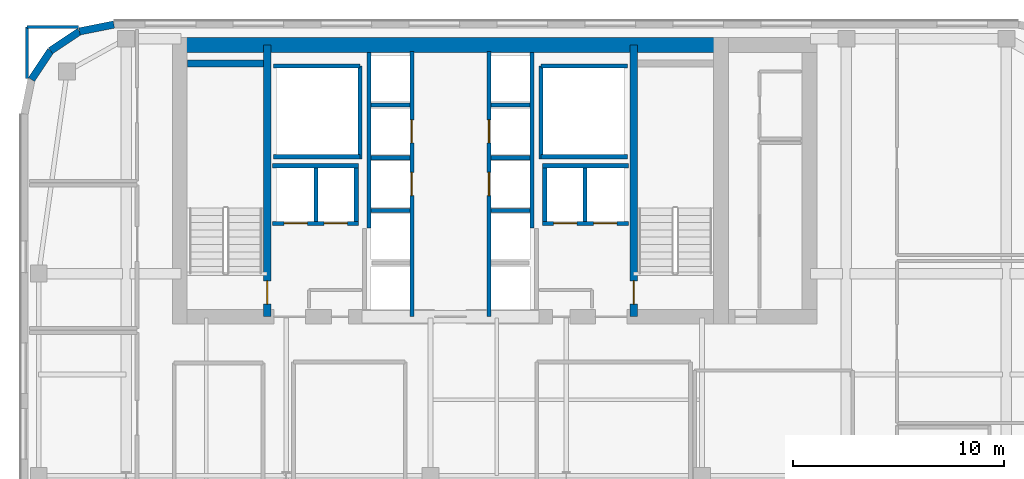
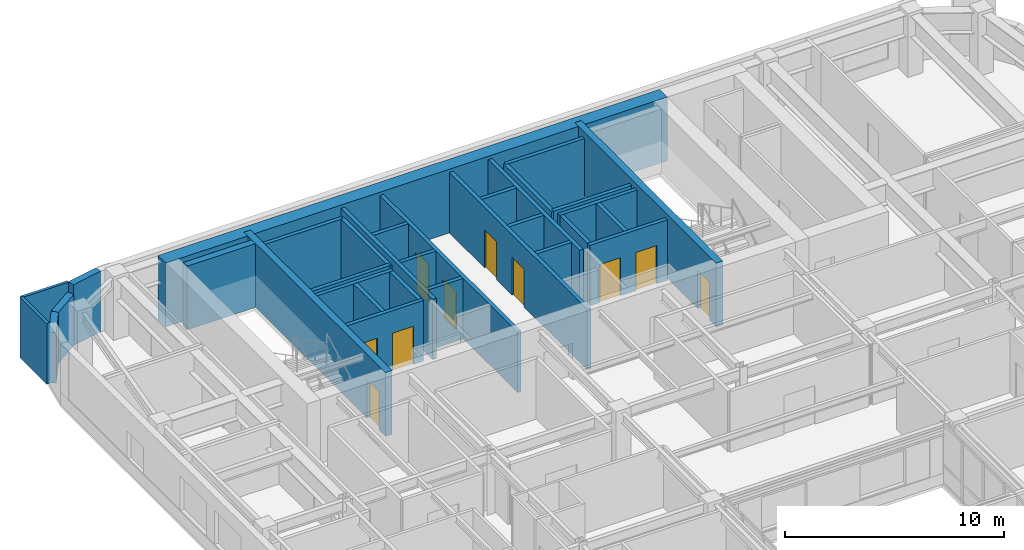
# One storey, part 19 of 26: 33 walls, 10 doors, 10 openings.
"""IFC4 building model written with IfcOpenShell, lengths in metres."""

from ifc_helpers import new_model, si_unit, direction, frame, frame_2d, origin, place, context, subcontext, project, spatial, rectangle, extrude, source, transform, mapped, material, layer, layer_set, type_object, type_shapes, element, fill, save


model = new_model("IFC4")

# Units and contexts
model_context = context("Model", 3, precision=1e-05, world=origin(), true_north=direction((0.0, 1.0)))
body_context = subcontext(model_context, "Body", "Model", "MODEL_VIEW")
ifc_project = project(units=[si_unit("LENGTHUNIT", "METRE"), si_unit("AREAUNIT", "SQUARE_METRE"), si_unit("VOLUMEUNIT", "CUBIC_METRE"), si_unit("PLANEANGLEUNIT", "RADIAN"), si_unit("MASSUNIT", "GRAM", prefix="KILO")], contexts=[model_context])

# Site, building, storey
site_placement = place(None, origin())
site = spatial("IfcSite", under=ifc_project, at=site_placement, CompositionType="ELEMENT")
building_placement = place(site_placement, origin())
building = spatial("IfcBuilding", under=site, at=building_placement, Name="Tolvann Quenvar Hotel", CompositionType="ELEMENT")
storey_placement = place(building_placement, frame((0.0, 0.0, 168.35009765625)))
storey = spatial("IfcBuildingStorey", under=building, at=storey_placement, Name="L44", CompositionType="ELEMENT", Elevation=168.35009765625)

# Wall
ifc_material_1 = material(Name="Concrete S65 (65 MPa)", Category="concrete")
ifc_layer_1 = layer(ifc_material_1, 0.699951171875)
ifc_layer_set_1 = layer_set([ifc_layer_1], Name="Concrete S65 (65 MPa)")
wall_type_1 = type_object("IfcWallType", Name="WALL_CORE_700", PredefinedType="SHEAR", material=ifc_layer_set_1)
wall_1_placement = place(storey_placement, frame((9.800048828125, 44.85009765625, 0.0), z_axis=(0.0, 0.0, 1.0), x_axis=(1.0, 0.0, 0.0)))
element("IfcWall", 1, at=wall_1_placement, inside=storey, type_object=wall_type_1, Name="Rear Core N Shear Wall (L44)", PredefinedType="SHEAR", context=body_context, shape_type="SweptSolid", body=[
    extrude(rectangle(XDim=26.39990234375, YDim=0.699951171875, at=frame_2d((13.199951171875, 0.0))), origin(), (0.0, 0.0, 1.0), 3.5498046875),
])

# Wall, opening, door
ifc_layer_2 = layer(ifc_material_1, 0.35009765625)
ifc_layer_set_2 = layer_set([ifc_layer_2], Name="Concrete S65 (65 MPa)")
wall_type_2 = type_object("IfcWallType", Name="WALL_CORE_INT_350", PredefinedType="SHEAR", material=ifc_layer_set_2)
wall_2_placement = place(storey_placement, frame((14.300048828125, 31.949951171875, 0.0), z_axis=(0.0, 0.0, 1.0), x_axis=(0.0, 1.0, 0.0)))
wall_2 = element("IfcWall", 2, at=wall_2_placement, inside=storey, type_object=wall_type_2, Name="Core Internal Web Shear Wall WEB-W (L44)", PredefinedType="SHEAR", context=body_context, shape_type="SweptSolid", body=[
    extrude(rectangle(XDim=12.900146484375, YDim=0.35009765625, at=frame_2d((6.4501953125, 0.0))), origin(), (0.0, 0.0, 1.0), 3.5498046875),
])
opening_1_placement = place(wall_2_placement, frame((0.60009765625, 0.0, 0.0)))
opening_1 = element("IfcOpeningElement", 3, at=opening_1_placement, cuts=wall_2, Name="Opening FD-120", PredefinedType="OPENING", context=body_context, shape_type="SweptSolid", body=[
    extrude(rectangle(XDim=1.10009765625, YDim=2.1201171875, at=frame_2d((0.550048828125, 1.06005859375))), frame((0.0, 0.18505859375, 0.0), z_axis=(0.0, -1.0, 0.0), x_axis=(1.0, 0.0, 0.0)), (0.0, 0.0, 1.0), 0.3701171875),
])
ifc_material_2 = material(Name="Pressed galvanised steel fire-rated door set", Category="steel")
door_type_1 = type_object("IfcDoorType", Name="DOOR_FIRE_STAIR_1100", OperationType="NOTDEFINED", PredefinedType="DOOR", material=ifc_material_2)
shared_shape_1 = source(origin(), body_context, "Body", "SweptSolid", [
    extrude(rectangle(XDim=1.10009765625, YDim=2.1201171875, at=frame_2d((0.550048828125, 1.06005859375))), frame((0.0, 0.02490234375, 0.0), z_axis=(0.0, -1.0, 0.0), x_axis=(1.0, 0.0, 0.0)), (0.0, 0.0, 1.0), 0.050048828125),
])
type_shapes(door_type_1, [shared_shape_1])
door_1_placement = place(opening_1_placement, origin())
door_1 = element("IfcDoor", 4, at=door_1_placement, inside=storey, type_object=door_type_1, Name="Exit Stair ST-C1 Fire Door (L44)", OperationType="SINGLE_SWING_LEFT", OverallHeight=2.1201171875, OverallWidth=1.10009765625, PredefinedType="DOOR", context=body_context, shape_type="MappedRepresentation", body=[
    mapped(shared_shape_1, transform((0.0, 0.0, 0.0), x_axis=(1.0, 0.0, 0.0), y_axis=(0.0, 1.0, 0.0), z_axis=(0.0, 0.0, 1.0), scale=1.0)),
])
fill(opening_1, door_1)

wall_3_placement = place(storey_placement, frame((31.699951171875, 31.949951171875, 0.0), z_axis=(0.0, 0.0, 1.0), x_axis=(0.0, 1.0, 0.0)))
wall_3 = element("IfcWall", 5, at=wall_3_placement, inside=storey, type_object=wall_type_2, Name="Core Internal Web Shear Wall WEB-E (L44)", PredefinedType="SHEAR", context=body_context, shape_type="SweptSolid", body=[
    extrude(rectangle(XDim=12.900146484375, YDim=0.35009765625, at=frame_2d((6.4501953125, 0.0))), origin(), (0.0, 0.0, 1.0), 3.5498046875),
])
opening_2_placement = place(wall_3_placement, frame((1.7001953125, 0.0, 0.0), z_axis=(0.0, 0.0, 1.0), x_axis=(-1.0, 0.0, 0.0)))
opening_2 = element("IfcOpeningElement", 6, at=opening_2_placement, cuts=wall_3, Name="Opening FD-120", PredefinedType="OPENING", context=body_context, shape_type="SweptSolid", body=[
    extrude(rectangle(XDim=1.10009765625, YDim=2.1201171875, at=frame_2d((0.550048828125, 1.06005859375))), frame((0.0, 0.18505859375, 0.0), z_axis=(0.0, -1.0, 0.0), x_axis=(1.0, 0.0, 0.0)), (0.0, 0.0, 1.0), 0.3701171875),
])
door_2_placement = place(opening_2_placement, origin())
door_2 = element("IfcDoor", 7, at=door_2_placement, inside=storey, type_object=door_type_1, Name="Exit Stair ST-C2 Fire Door (L44)", OperationType="SINGLE_SWING_RIGHT", OverallHeight=2.1201171875, OverallWidth=1.10009765625, PredefinedType="DOOR", context=body_context, shape_type="MappedRepresentation", body=[
    mapped(shared_shape_1, transform((0.0, 0.0, 0.0), x_axis=(1.0, 0.0, 0.0), y_axis=(0.0, 1.0, 0.0), z_axis=(0.0, 0.0, 1.0), scale=1.0)),
])
fill(opening_2, door_2)

# Walls
wall_4_placement = place(storey_placement, frame((10.52001953125, 43.97509765625, 0.0), z_axis=(0.0, 0.0, 1.0), x_axis=(1.0, 0.0, 0.0)))
element("IfcWall", 8, at=wall_4_placement, inside=storey, type_object=wall_type_2, Name="Core Stair North Closing Shear Wall STC1-N (L44)", PredefinedType="SHEAR", context=body_context, shape_type="SweptSolid", body=[
    extrude(rectangle(XDim=3.60009765625, YDim=0.35009765625, at=frame_2d((1.800048828125, 0.0))), origin(), (0.0, 0.0, 1.0), 3.5498046875),
])
ifc_material_3 = material(Name="Kiln-fired red and buff architectural clay brickwork and terracotta masonry", Category="masonry")
ifc_layer_3 = layer(ifc_material_3, 0.35009765625)
ifc_layer_set_3 = layer_set([ifc_layer_3], Name="Kiln-fired red and buff architectural clay brickwork and terracotta masonry")
wall_type_3 = type_object("IfcWallType", Name="WALL_EXT_BRICK_350", PredefinedType="SOLIDWALL", material=ifc_layer_set_3)
wall_5_placement = place(storey_placement, frame((7.01708984375, 45.824951171875, 0.0), z_axis=(0.0, 0.0, 1.0), x_axis=(-0.980788844421, -0.195072403631, 0.0)))
element("IfcWall", 9, at=wall_5_placement, inside=storey, type_object=wall_type_3, Name="Exterior Chicago Brick Wall L44-E19", PredefinedType="SOLIDWALL", context=body_context, shape_type="SweptSolid", body=[
    extrude(rectangle(XDim=1.66455078125, YDim=0.35009765625, at=frame_2d((0.832275390625, 0.0))), origin(), (0.0, 0.0, 1.0), 3.369873046875),
])
for number, where, z_axis, x_axis, name in (
    (10, (5.384521484375, 45.500244140625, 0.0), (0.0, 0.0, 1.0), (-0.831502623162, -0.555520825599, 0.0), "Exterior Chicago Brick Wall L44-E20"),
    (11, (4.014892578125, 44.585205078125, 0.0), (0.0, 0.0, 1.0), (-0.555623290322, -0.831434158098, 0.0), "Exterior Chicago Brick Wall L44-E21"),
):
    element("IfcWall", number, at=place(storey_placement, frame(where, z_axis=z_axis, x_axis=x_axis)), inside=storey, type_object=wall_type_3, Name=name, PredefinedType="SOLIDWALL", context=body_context, shape_type="SweptSolid", body=[
        extrude(rectangle(XDim=1.647216796875, YDim=0.35009765625, at=frame_2d((0.82373046875, 0.0))), origin(), (0.0, 0.0, 1.0), 2.831787109375),
    ])
ifc_material_4 = material(Name="Acoustic twin-stud fire-rated gypsum plasterboard partition")
ifc_layer_4 = layer(ifc_material_4, 0.14990234375)
ifc_layer_set_4 = layer_set([ifc_layer_4], Name="Acoustic twin-stud fire-rated gypsum plasterboard partition")
wall_type_4 = type_object("IfcWallType", Name="WALL_PART_SUITE_150", PredefinedType="PARTITIONING", material=ifc_layer_set_4)
for number, where, z_axis, x_axis, name in (
    (12, (2.89990234375, 45.699951171875, 0.0), (0.0, 0.0, 1.0), (1.0, 0.0, 0.0), "Interior Partition PT-SPC-L44-TEA-N"),
    (13, (2.89990234375, 43.2548828125, 0.0), (0.0, 0.0, 1.0), (0.0, 1.0, 0.0), "Interior Partition PT-SPC-L44-TEA-W"),
):
    element("IfcWall", number, at=place(storey_placement, frame(where, z_axis=z_axis, x_axis=x_axis)), inside=storey, type_object=wall_type_4, Name=name, PredefinedType="PARTITIONING", context=body_context, shape_type="SweptSolid", body=[
        extrude(rectangle(XDim=2.445068359375, YDim=0.14990234375, at=frame_2d((1.22265625, 0.0))), origin(), (0.0, 0.0, 1.0), 3.369873046875),
    ])
ifc_material_5 = material(Name="Concrete N40 (40 MPa)", Category="concrete")
ifc_layer_5 = layer(ifc_material_5, 0.199951171875)
ifc_layer_set_5 = layer_set([ifc_layer_5], Name="Concrete N40 (40 MPa)")
wall_type_5 = type_object("IfcWallType", Name="WALL_SHAFT_200", PredefinedType="SOLIDWALL", material=ifc_layer_set_5)
wall_6_placement = place(storey_placement, frame((18.699951171875, 39.449951171875, 0.0), z_axis=(0.0, 0.0, 1.0), x_axis=(0.0, 1.0, 0.0)))
element("IfcWall", 14, at=wall_6_placement, inside=storey, type_object=wall_type_5, Name="Service Riser W Shaft Wall IN (L44)", PredefinedType="SOLIDWALL", context=body_context, shape_type="SweptSolid", body=[
    extrude(rectangle(XDim=4.400146484375, YDim=0.199951171875, at=frame_2d((2.2001953125, 0.0))), origin(), (0.0, 0.0, 1.0), 3.369873046875),
])
for number, where, z_axis, x_axis, name in (
    (15, (14.60009765625, 39.550048828125, 0.0), (0.0, 0.0, 1.0), (1.0, 0.0, 0.0), "Service Riser W Shaft Wall S (L44)"),
    (16, (14.60009765625, 43.85009765625, 0.0), (0.0, 0.0, 1.0), (1.0, 0.0, 0.0), "Service Riser W Shaft Wall N (L44)"),
):
    element("IfcWall", number, at=place(storey_placement, frame(where, z_axis=z_axis, x_axis=x_axis)), inside=storey, type_object=wall_type_5, Name=name, PredefinedType="SOLIDWALL", context=body_context, shape_type="SweptSolid", body=[
        extrude(rectangle(XDim=4.099853515625, YDim=0.199951171875, at=frame_2d((2.0498046875, 0.0))), origin(), (0.0, 0.0, 1.0), 3.369873046875),
    ])
wall_7_placement = place(storey_placement, frame((27.300048828125, 39.449951171875, 0.0), z_axis=(0.0, 0.0, 1.0), x_axis=(0.0, 1.0, 0.0)))
element("IfcWall", 17, at=wall_7_placement, inside=storey, type_object=wall_type_5, Name="Service Riser E Shaft Wall IN (L44)", PredefinedType="SOLIDWALL", context=body_context, shape_type="SweptSolid", body=[
    extrude(rectangle(XDim=4.400146484375, YDim=0.199951171875, at=frame_2d((2.2001953125, 0.0))), origin(), (0.0, 0.0, 1.0), 3.369873046875),
])
for number, where, z_axis, x_axis, name in (
    (18, (27.300048828125, 39.550048828125, 0.0), (0.0, 0.0, 1.0), (1.0, 0.0, 0.0), "Service Riser E Shaft Wall S (L44)"),
    (19, (27.300048828125, 43.85009765625, 0.0), (0.0, 0.0, 1.0), (1.0, 0.0, 0.0), "Service Riser E Shaft Wall N (L44)"),
):
    element("IfcWall", number, at=place(storey_placement, frame(where, z_axis=z_axis, x_axis=x_axis)), inside=storey, type_object=wall_type_5, Name=name, PredefinedType="SOLIDWALL", context=body_context, shape_type="SweptSolid", body=[
        extrude(rectangle(XDim=4.099853515625, YDim=0.199951171875, at=frame_2d((2.0498046875, 0.0))), origin(), (0.0, 0.0, 1.0), 3.369873046875),
    ])

# Wall, openings, doors
wall_8_placement = place(storey_placement, frame((21.169921875, 31.9599609375, 0.0), z_axis=(0.0, 0.0, 1.0), x_axis=(0.0, 1.0, 0.0)))
wall_8 = element("IfcWall", 20, at=wall_8_placement, inside=storey, type_object=wall_type_5, Name="Lift Bank E21.1C1 Hoistway Front Wall (L44)", PredefinedType="SOLIDWALL", context=body_context, shape_type="SweptSolid", body=[
    extrude(rectangle(XDim=12.580078125, YDim=0.199951171875, at=frame_2d((6.2900390625, 0.0))), origin(), (0.0, 0.0, 1.0), 3.369873046875),
])
opening_3_placement = place(wall_8_placement, frame((5.739990234375, 0.0, 0.0)))
opening_3 = element("IfcOpeningElement", 21, at=opening_3_placement, cuts=wall_8, Name="Opening LD-01", PredefinedType="OPENING", context=body_context, shape_type="SweptSolid", body=[
    extrude(rectangle(XDim=1.10009765625, YDim=2.1201171875, at=frame_2d((0.550048828125, 1.06005859375))), frame((0.0, 0.10986328125, 0.0), z_axis=(0.0, -1.0, 0.0), x_axis=(1.0, 0.0, 0.0)), (0.0, 0.0, 1.0), 0.219970703125),
])
opening_4_placement = place(wall_8_placement, frame((8.239990234375, 0.0, 0.0)))
opening_4 = element("IfcOpeningElement", 22, at=opening_4_placement, cuts=wall_8, Name="Opening LD-01", PredefinedType="OPENING", context=body_context, shape_type="SweptSolid", body=[
    extrude(rectangle(XDim=1.10009765625, YDim=2.1201171875, at=frame_2d((0.550048828125, 1.06005859375))), frame((0.0, 0.10986328125, 0.0), z_axis=(0.0, -1.0, 0.0), x_axis=(1.0, 0.0, 0.0)), (0.0, 0.0, 1.0), 0.219970703125),
])
ifc_material_6 = material(Name="Brushed 316 stainless steel automatic sliding lift landing door", Category="steel")
door_type_2 = type_object("IfcDoorType", Name="DOOR_LIFT_SLIDE_1100", OperationType="NOTDEFINED", PredefinedType="DOOR", material=ifc_material_6)
shared_shape_2 = source(origin(), body_context, "Body", "SweptSolid", [
    extrude(rectangle(XDim=1.10009765625, YDim=2.1201171875, at=frame_2d((0.550048828125, 1.06005859375))), frame((0.0, 0.02490234375, 0.0), z_axis=(0.0, -1.0, 0.0), x_axis=(1.0, 0.0, 0.0)), (0.0, 0.0, 1.0), 0.050048828125),
])
type_shapes(door_type_2, [shared_shape_2])
door_3_placement = place(opening_3_placement, origin())
door_3 = element("IfcDoor", 23, at=door_3_placement, inside=storey, type_object=door_type_2, Name="Lift PM-1 Sliding Landing Door (L44)", OperationType="SLIDING_TO_RIGHT", OverallHeight=2.1201171875, OverallWidth=1.10009765625, PredefinedType="DOOR", context=body_context, shape_type="MappedRepresentation", body=[
    mapped(shared_shape_2, transform((0.0, 0.0, 0.0), x_axis=(1.0, 0.0, 0.0), y_axis=(0.0, 1.0, 0.0), z_axis=(0.0, 0.0, 1.0), scale=1.0)),
])
fill(opening_3, door_3)
door_4_placement = place(opening_4_placement, origin())
door_4 = element("IfcDoor", 24, at=door_4_placement, inside=storey, type_object=door_type_2, Name="Lift PM-2 Sliding Landing Door (L44)", OperationType="SLIDING_TO_LEFT", OverallHeight=2.1201171875, OverallWidth=1.10009765625, PredefinedType="DOOR", context=body_context, shape_type="MappedRepresentation", body=[
    mapped(shared_shape_2, transform((0.0, 0.0, 0.0), x_axis=(1.0, 0.0, 0.0), y_axis=(0.0, 1.0, 0.0), z_axis=(0.0, 0.0, 1.0), scale=1.0)),
])
fill(opening_4, door_4)

# Walls
wall_9_placement = place(storey_placement, frame((19.1298828125, 36.159912109375, 0.0), z_axis=(0.0, 0.0, 1.0), x_axis=(0.0, 1.0, 0.0)))
element("IfcWall", 25, at=wall_9_placement, inside=storey, type_object=wall_type_5, Name="Lift Bank E21.1C1 Hoistway Rear Wall (L44)", PredefinedType="SOLIDWALL", context=body_context, shape_type="SweptSolid", body=[
    extrude(rectangle(XDim=8.336181640625, YDim=0.199951171875, at=frame_2d((4.16796875, 0.0))), origin(), (0.0, 0.0, 1.0), 3.369873046875),
])
for number, where, z_axis, x_axis, name in (
    (26, (19.22998046875, 37.0, 0.0), (0.0, 0.0, 1.0), (1.0, 0.0, 0.0), "Lift Bank E21.1C1 Divider Wall 2 (L44)"),
    (27, (19.22998046875, 39.5, 0.0), (0.0, 0.0, 1.0), (1.0, 0.0, 0.0), "Lift Bank E21.1C1 Divider Wall 3 (L44)"),
    (28, (19.22998046875, 42.0, 0.0), (0.0, 0.0, 1.0), (1.0, 0.0, 0.0), "Lift Bank E21.1C1 Divider Wall 4 (L44)"),
):
    element("IfcWall", number, at=place(storey_placement, frame(where, z_axis=z_axis, x_axis=x_axis)), inside=storey, type_object=wall_type_5, Name=name, PredefinedType="SOLIDWALL", context=body_context, shape_type="SweptSolid", body=[
        extrude(rectangle(XDim=1.840087890625, YDim=0.199951171875, at=frame_2d((0.919921875, 0.0))), origin(), (0.0, 0.0, 1.0), 3.369873046875),
    ])

# Wall, openings, doors
wall_10_placement = place(storey_placement, frame((27.375, 36.3798828125, 0.0), z_axis=(0.0, 0.0, 1.0), x_axis=(1.0, 0.0, 0.0)))
wall_10 = element("IfcWall", 29, at=wall_10_placement, inside=storey, type_object=wall_type_5, Name="Lift Bank SEC1 Hoistway Front Wall (L44)", PredefinedType="SOLIDWALL", context=body_context, shape_type="SweptSolid", body=[
    extrude(rectangle(XDim=4.074951171875, YDim=0.199951171875, at=frame_2d((2.03759765625, 0.0))), origin(), (0.0, 0.0, 1.0), 3.369873046875),
])
opening_5_placement = place(wall_10_placement, frame((0.52490234375, 0.0, 0.0)))
opening_5 = element("IfcOpeningElement", 30, at=opening_5_placement, cuts=wall_10, Name="Opening LD-01", PredefinedType="OPENING", context=body_context, shape_type="SweptSolid", body=[
    extrude(rectangle(XDim=1.10009765625, YDim=2.1201171875, at=frame_2d((0.550048828125, 1.06005859375))), frame((0.0, 0.10986328125, 0.0), z_axis=(0.0, -1.0, 0.0), x_axis=(1.0, 0.0, 0.0)), (0.0, 0.0, 1.0), 0.219970703125),
])
opening_6_placement = place(wall_10_placement, frame((2.425048828125, 0.0, 0.0)))
opening_6 = element("IfcOpeningElement", 31, at=opening_6_placement, cuts=wall_10, Name="Opening LD-01", PredefinedType="OPENING", context=body_context, shape_type="SweptSolid", body=[
    extrude(rectangle(XDim=1.10009765625, YDim=2.1201171875, at=frame_2d((0.550048828125, 1.06005859375))), frame((0.0, 0.10986328125, 0.0), z_axis=(0.0, -1.0, 0.0), x_axis=(1.0, 0.0, 0.0)), (0.0, 0.0, 1.0), 0.219970703125),
])
door_5_placement = place(opening_5_placement, origin())
door_5 = element("IfcDoor", 32, at=door_5_placement, inside=storey, type_object=door_type_2, Name="Lift SV-2 Sliding Landing Door (L44)", OperationType="SLIDING_TO_LEFT", OverallHeight=2.1201171875, OverallWidth=1.10009765625, PredefinedType="DOOR", context=body_context, shape_type="MappedRepresentation", body=[
    mapped(shared_shape_2, transform((0.0, 0.0, 0.0), x_axis=(1.0, 0.0, 0.0), y_axis=(0.0, 1.0, 0.0), z_axis=(0.0, 0.0, 1.0), scale=1.0)),
])
fill(opening_5, door_5)
door_6_placement = place(opening_6_placement, origin())
door_6 = element("IfcDoor", 33, at=door_6_placement, inside=storey, type_object=door_type_2, Name="Lift FF-2 Sliding Landing Door (L44)", OperationType="SLIDING_TO_RIGHT", OverallHeight=2.1201171875, OverallWidth=1.10009765625, PredefinedType="DOOR", context=body_context, shape_type="MappedRepresentation", body=[
    mapped(shared_shape_2, transform((0.0, 0.0, 0.0), x_axis=(1.0, 0.0, 0.0), y_axis=(0.0, 1.0, 0.0), z_axis=(0.0, 0.0, 1.0), scale=1.0)),
])
fill(opening_6, door_6)

# Walls
wall_11_placement = place(storey_placement, frame((27.375, 39.1201171875, 0.0), z_axis=(0.0, 0.0, 1.0), x_axis=(1.0, 0.0, 0.0)))
element("IfcWall", 34, at=wall_11_placement, inside=storey, type_object=wall_type_5, Name="Lift Bank SEC1 Hoistway Rear Wall (L44)", PredefinedType="SOLIDWALL", context=body_context, shape_type="SweptSolid", body=[
    extrude(rectangle(XDim=4.074951171875, YDim=0.199951171875, at=frame_2d((2.03759765625, 0.0))), origin(), (0.0, 0.0, 1.0), 3.369873046875),
])
for number, where, z_axis, x_axis, name in (
    (35, (27.47509765625, 36.47998046875, 0.0), (0.0, 0.0, 1.0), (0.0, 1.0, 0.0), "Lift Bank SEC1 Hoistway Cheek Wall 1 (L44)"),
    (36, (29.387451171875, 36.47998046875, 0.0), (0.0, 0.0, 1.0), (0.0, 1.0, 0.0), "Lift Bank SEC1 Divider Wall 1 (L44)"),
):
    element("IfcWall", number, at=place(storey_placement, frame(where, z_axis=z_axis, x_axis=x_axis)), inside=storey, type_object=wall_type_5, Name=name, PredefinedType="SOLIDWALL", context=body_context, shape_type="SweptSolid", body=[
        extrude(rectangle(XDim=2.5400390625, YDim=0.199951171875, at=frame_2d((1.27001953125, 0.0))), origin(), (0.0, 0.0, 1.0), 3.369873046875),
    ])

# Wall, openings, doors
wall_12_placement = place(storey_placement, frame((14.550048828125, 36.3798828125, 0.0), z_axis=(0.0, 0.0, 1.0), x_axis=(1.0, 0.0, 0.0)))
wall_12 = element("IfcWall", 37, at=wall_12_placement, inside=storey, type_object=wall_type_5, Name="Lift Bank SWC1 Hoistway Front Wall (L44)", PredefinedType="SOLIDWALL", context=body_context, shape_type="SweptSolid", body=[
    extrude(rectangle(XDim=4.074951171875, YDim=0.199951171875, at=frame_2d((2.03759765625, 0.0))), origin(), (0.0, 0.0, 1.0), 3.369873046875),
])
opening_7_placement = place(wall_12_placement, frame((0.550048828125, 0.0, 0.0)))
opening_7 = element("IfcOpeningElement", 38, at=opening_7_placement, cuts=wall_12, Name="Opening LD-01", PredefinedType="OPENING", context=body_context, shape_type="SweptSolid", body=[
    extrude(rectangle(XDim=1.10009765625, YDim=2.1201171875, at=frame_2d((0.550048828125, 1.06005859375))), frame((0.0, 0.10986328125, 0.0), z_axis=(0.0, -1.0, 0.0), x_axis=(1.0, 0.0, 0.0)), (0.0, 0.0, 1.0), 0.219970703125),
])
opening_8_placement = place(wall_12_placement, frame((2.449951171875, 0.0, 0.0)))
opening_8 = element("IfcOpeningElement", 39, at=opening_8_placement, cuts=wall_12, Name="Opening LD-01", PredefinedType="OPENING", context=body_context, shape_type="SweptSolid", body=[
    extrude(rectangle(XDim=1.10009765625, YDim=2.1201171875, at=frame_2d((0.550048828125, 1.06005859375))), frame((0.0, 0.10986328125, 0.0), z_axis=(0.0, -1.0, 0.0), x_axis=(1.0, 0.0, 0.0)), (0.0, 0.0, 1.0), 0.219970703125),
])
door_7_placement = place(opening_7_placement, origin())
door_7 = element("IfcDoor", 40, at=door_7_placement, inside=storey, type_object=door_type_2, Name="Lift FF-1 Sliding Landing Door (L44)", OperationType="SLIDING_TO_LEFT", OverallHeight=2.1201171875, OverallWidth=1.10009765625, PredefinedType="DOOR", context=body_context, shape_type="MappedRepresentation", body=[
    mapped(shared_shape_2, transform((0.0, 0.0, 0.0), x_axis=(1.0, 0.0, 0.0), y_axis=(0.0, 1.0, 0.0), z_axis=(0.0, 0.0, 1.0), scale=1.0)),
])
fill(opening_7, door_7)
door_8_placement = place(opening_8_placement, origin())
door_8 = element("IfcDoor", 41, at=door_8_placement, inside=storey, type_object=door_type_2, Name="Lift SV-1 Sliding Landing Door (L44)", OperationType="SLIDING_TO_RIGHT", OverallHeight=2.1201171875, OverallWidth=1.10009765625, PredefinedType="DOOR", context=body_context, shape_type="MappedRepresentation", body=[
    mapped(shared_shape_2, transform((0.0, 0.0, 0.0), x_axis=(1.0, 0.0, 0.0), y_axis=(0.0, 1.0, 0.0), z_axis=(0.0, 0.0, 1.0), scale=1.0)),
])
fill(opening_8, door_8)

# Walls
wall_13_placement = place(storey_placement, frame((14.550048828125, 39.1201171875, 0.0), z_axis=(0.0, 0.0, 1.0), x_axis=(1.0, 0.0, 0.0)))
element("IfcWall", 42, at=wall_13_placement, inside=storey, type_object=wall_type_5, Name="Lift Bank SWC1 Hoistway Rear Wall (L44)", PredefinedType="SOLIDWALL", context=body_context, shape_type="SweptSolid", body=[
    extrude(rectangle(XDim=4.074951171875, YDim=0.199951171875, at=frame_2d((2.03759765625, 0.0))), origin(), (0.0, 0.0, 1.0), 3.369873046875),
])
for number, where, z_axis, x_axis, name in (
    (43, (18.52490234375, 36.47998046875, 0.0), (0.0, 0.0, 1.0), (0.0, 1.0, 0.0), "Lift Bank SWC1 Hoistway Cheek Wall 2 (L44)"),
    (44, (16.612548828125, 36.47998046875, 0.0), (0.0, 0.0, 1.0), (0.0, 1.0, 0.0), "Lift Bank SWC1 Divider Wall 1 (L44)"),
):
    element("IfcWall", number, at=place(storey_placement, frame(where, z_axis=z_axis, x_axis=x_axis)), inside=storey, type_object=wall_type_5, Name=name, PredefinedType="SOLIDWALL", context=body_context, shape_type="SweptSolid", body=[
        extrude(rectangle(XDim=2.5400390625, YDim=0.199951171875, at=frame_2d((1.27001953125, 0.0))), origin(), (0.0, 0.0, 1.0), 3.369873046875),
    ])

# Wall, openings, doors
wall_14_placement = place(storey_placement, frame((24.830078125, 31.9599609375, 0.0), z_axis=(0.0, 0.0, 1.0), x_axis=(0.0, 1.0, 0.0)))
wall_14 = element("IfcWall", 45, at=wall_14_placement, inside=storey, type_object=wall_type_5, Name="Lift Bank W24.9C1 Hoistway Front Wall (L44)", PredefinedType="SOLIDWALL", context=body_context, shape_type="SweptSolid", body=[
    extrude(rectangle(XDim=12.580078125, YDim=0.199951171875, at=frame_2d((6.2900390625, 0.0))), origin(), (0.0, 0.0, 1.0), 3.369873046875),
])
opening_9_placement = place(wall_14_placement, frame((5.739990234375, 0.0, 0.0)))
opening_9 = element("IfcOpeningElement", 46, at=opening_9_placement, cuts=wall_14, Name="Opening LD-01", PredefinedType="OPENING", context=body_context, shape_type="SweptSolid", body=[
    extrude(rectangle(XDim=1.10009765625, YDim=2.1201171875, at=frame_2d((0.550048828125, 1.06005859375))), frame((0.0, 0.10986328125, 0.0), z_axis=(0.0, -1.0, 0.0), x_axis=(1.0, 0.0, 0.0)), (0.0, 0.0, 1.0), 0.219970703125),
])
opening_10_placement = place(wall_14_placement, frame((8.239990234375, 0.0, 0.0)))
opening_10 = element("IfcOpeningElement", 47, at=opening_10_placement, cuts=wall_14, Name="Opening LD-01", PredefinedType="OPENING", context=body_context, shape_type="SweptSolid", body=[
    extrude(rectangle(XDim=1.10009765625, YDim=2.1201171875, at=frame_2d((0.550048828125, 1.06005859375))), frame((0.0, 0.10986328125, 0.0), z_axis=(0.0, -1.0, 0.0), x_axis=(1.0, 0.0, 0.0)), (0.0, 0.0, 1.0), 0.219970703125),
])
door_9_placement = place(opening_9_placement, origin())
door_9 = element("IfcDoor", 48, at=door_9_placement, inside=storey, type_object=door_type_2, Name="Lift PM-3 Sliding Landing Door (L44)", OperationType="SLIDING_TO_RIGHT", OverallHeight=2.1201171875, OverallWidth=1.10009765625, PredefinedType="DOOR", context=body_context, shape_type="MappedRepresentation", body=[
    mapped(shared_shape_2, transform((0.0, 0.0, 0.0), x_axis=(1.0, 0.0, 0.0), y_axis=(0.0, 1.0, 0.0), z_axis=(0.0, 0.0, 1.0), scale=1.0)),
])
fill(opening_9, door_9)
door_10_placement = place(opening_10_placement, origin())
door_10 = element("IfcDoor", 49, at=door_10_placement, inside=storey, type_object=door_type_2, Name="Lift PM-4 Sliding Landing Door (L44)", OperationType="SLIDING_TO_LEFT", OverallHeight=2.1201171875, OverallWidth=1.10009765625, PredefinedType="DOOR", context=body_context, shape_type="MappedRepresentation", body=[
    mapped(shared_shape_2, transform((0.0, 0.0, 0.0), x_axis=(1.0, 0.0, 0.0), y_axis=(0.0, 1.0, 0.0), z_axis=(0.0, 0.0, 1.0), scale=1.0)),
])
fill(opening_10, door_10)

# Walls
wall_15_placement = place(storey_placement, frame((26.8701171875, 36.159912109375, 0.0), z_axis=(0.0, 0.0, 1.0), x_axis=(0.0, 1.0, 0.0)))
element("IfcWall", 50, at=wall_15_placement, inside=storey, type_object=wall_type_5, Name="Lift Bank W24.9C1 Hoistway Rear Wall (L44)", PredefinedType="SOLIDWALL", context=body_context, shape_type="SweptSolid", body=[
    extrude(rectangle(XDim=8.336181640625, YDim=0.199951171875, at=frame_2d((4.16796875, 0.0))), origin(), (0.0, 0.0, 1.0), 3.369873046875),
])
for number, where, z_axis, x_axis, name in (
    (51, (24.929931640625, 37.0, 0.0), (0.0, 0.0, 1.0), (1.0, 0.0, 0.0), "Lift Bank W24.9C1 Divider Wall 2 (L44)"),
    (52, (24.929931640625, 39.5, 0.0), (0.0, 0.0, 1.0), (1.0, 0.0, 0.0), "Lift Bank W24.9C1 Divider Wall 3 (L44)"),
    (53, (24.929931640625, 42.0, 0.0), (0.0, 0.0, 1.0), (1.0, 0.0, 0.0), "Lift Bank W24.9C1 Divider Wall 4 (L44)"),
):
    element("IfcWall", number, at=place(storey_placement, frame(where, z_axis=z_axis, x_axis=x_axis)), inside=storey, type_object=wall_type_5, Name=name, PredefinedType="SOLIDWALL", context=body_context, shape_type="SweptSolid", body=[
        extrude(rectangle(XDim=1.840087890625, YDim=0.199951171875, at=frame_2d((0.919921875, 0.0))), origin(), (0.0, 0.0, 1.0), 3.369873046875),
    ])

save(model, "model.ifc")
